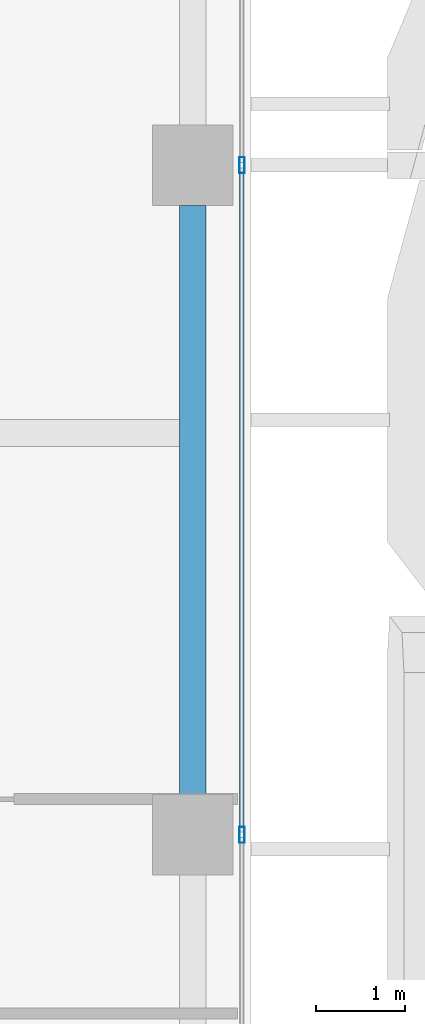
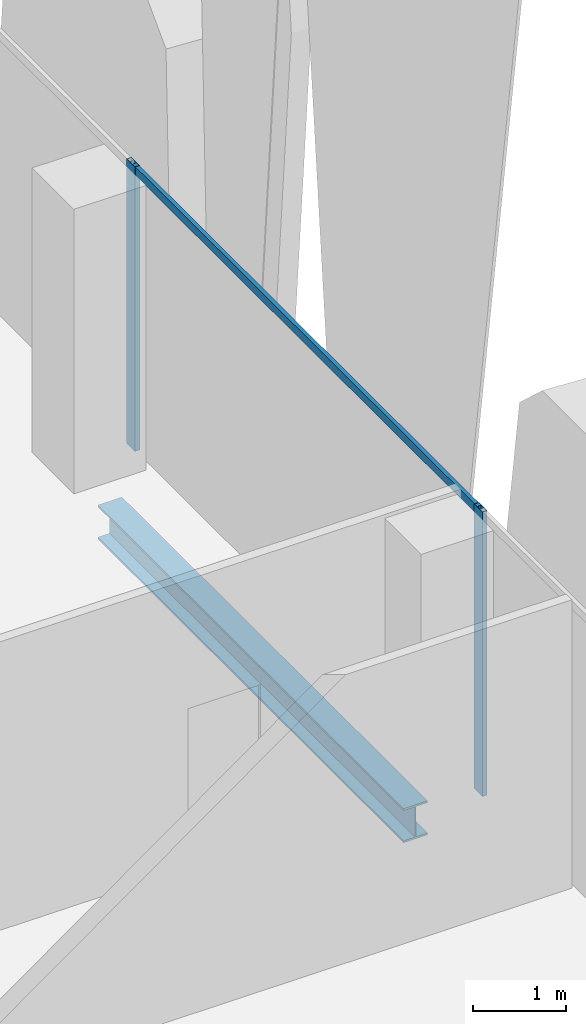
# One storey, part 13 of 33: 3 members, 1 beam, 1 element without a shape of its own.
"""IFC4 building model written with IfcOpenShell, lengths in metres."""

from ifc_helpers import new_model, si_unit, direction, frame, origin, origin_2d, place, context, subcontext, project, spatial, hollow_rectangle, i_section, extrude, source, transform, mapped, material, material_profile, profile_set, type_object, element, aggregate, save


model = new_model("IFC4")

# Units and contexts
model_context = context("Model", 3, precision=1e-05, world=origin(), true_north=direction((0.0, 1.0)))
body_context = subcontext(model_context, "Body", "Model", "MODEL_VIEW")
ifc_project = project(units=[si_unit("LENGTHUNIT", "METRE"), si_unit("AREAUNIT", "SQUARE_METRE"), si_unit("VOLUMEUNIT", "CUBIC_METRE"), si_unit("PLANEANGLEUNIT", "RADIAN"), si_unit("MASSUNIT", "GRAM", prefix="KILO")], contexts=[model_context])

# Site, building, storey
site_placement = place(None, origin())
site = spatial("IfcSite", under=ifc_project, at=site_placement, CompositionType="ELEMENT")
building_placement = place(site_placement, origin())
building = spatial("IfcBuilding", under=site, at=building_placement, Name="Khomas Fold Tower", CompositionType="ELEMENT")
storey_placement = place(building_placement, frame((0.0, 0.0, 234.199951171875)))
storey = spatial("IfcBuildingStorey", under=building, at=storey_placement, Name="L52", CompositionType="ELEMENT", Elevation=234.199951171875)

# Beam
ifc_material_1 = material(Name="Steel S355", Category="steel")
ifc_material_profile_1 = material_profile(ifc_material_1, i_section(OverallWidth=0.300048828125, OverallDepth=0.449951171875, WebThickness=0.013916015625, FlangeThickness=0.02587890625, at=origin_2d()), Name="HE 450 B")
ifc_profile_set_1 = profile_set([ifc_material_profile_1], Name="Steel S355")
beam_type = type_object("IfcBeamType", Name="HE 450 B spandrel SB4", PredefinedType="SPANDREL", material=ifc_profile_set_1)
shared_shape_1 = source(origin(), body_context, "Body", "SweptSolid", [
    extrude(i_section(OverallWidth=0.300048828125, OverallDepth=0.449951171875, WebThickness=0.013916015625, FlangeThickness=0.02587890625, at=origin_2d()), origin(), (0.0, 0.0, 1.0), 6.60009765625),
])
beam_placement = place(storey_placement, frame((48.85009765625, 27.449951171875, -0.474853515625), z_axis=(0.0, 1.0, 0.0), x_axis=(-1.0, 0.0, 0.0)))
element("IfcBeam", 1, at=beam_placement, inside=storey, type_object=beam_type, Name="SB4", PredefinedType="SPANDREL", context=body_context, shape_type="MappedRepresentation", body=[
    mapped(shared_shape_1, transform((0.0, 0.0, 0.0))),
])

# Curtain wall, members
ifc_material_2 = material(Name="Aluminium framed double glazing", Category="aluminium")
curtain_wall_type = type_object("IfcCurtainWallType", Name="SK-Unitised clear-glass wall, office floors CW2", PredefinedType="NOTDEFINED", material=ifc_material_2)
curtain_wall_placement = place(storey_placement, origin())
curtain_wall = element("IfcCurtainWall", 2, at=curtain_wall_placement, inside=storey, type_object=curtain_wall_type, Name="CW2 run L52 03-0", PredefinedType="NOTDEFINED")
ifc_material_3 = material(Name="Aluminium", Category="aluminium")
ifc_material_profile_2 = material_profile(ifc_material_3, hollow_rectangle(XDim=0.06005859375, YDim=0.179931640625, WallThickness=0.00390625, at=origin_2d()), Name="SK-Unitised clear-glass wall, office floors mullion CW2-M")
ifc_profile_set_2 = profile_set([ifc_material_profile_2], Name="Aluminium")
member_type_1 = type_object("IfcMemberType", Name="SK-Unitised clear-glass wall, office floors mullion CW2-M", PredefinedType="MULLION", material=ifc_profile_set_2)
shared_shape_2 = source(origin(), body_context, "Body", "SweptSolid", [
    extrude(hollow_rectangle(XDim=0.06005859375, YDim=0.179931640625, WallThickness=0.00390625, at=origin_2d()), origin(), (0.0, 0.0, 1.0), 3.75),
])
member_1_placement = place(storey_placement, frame((49.39990234375, 27.0, 0.0), z_axis=(0.0, 0.0, 1.0), x_axis=(-1.0, 0.0, 0.0)))
member_1 = element("IfcMember", 3, at=member_1_placement, type_object=member_type_1, Name="CW2 mullion 4", PredefinedType="MULLION", context=body_context, shape_type="MappedRepresentation", body=[
    mapped(shared_shape_2, transform((0.0, 0.0, 0.0))),
])
member_2_placement = place(storey_placement, frame((49.39990234375, 34.5, 0.0), z_axis=(0.0, 0.0, 1.0), x_axis=(-1.0, 0.0, 0.0)))
member_2 = element("IfcMember", 4, at=member_2_placement, type_object=member_type_1, Name="CW2 mullion 5", PredefinedType="MULLION", context=body_context, shape_type="MappedRepresentation", body=[
    mapped(shared_shape_2, transform((0.0, 0.0, 0.0))),
])
ifc_material_4 = material(Name="Aluminium", Category="aluminium")
ifc_material_profile_3 = material_profile(ifc_material_4, hollow_rectangle(XDim=0.050048828125, YDim=0.110107421875, WallThickness=0.00390625, at=origin_2d()), Name="SK-Unitised clear-glass wall, office floors transom CW2-T")
ifc_profile_set_3 = profile_set([ifc_material_profile_3], Name="Aluminium")
member_type_2 = type_object("IfcMemberType", Name="SK-Unitised clear-glass wall, office floors transom CW2-T", PredefinedType="USERDEFINED", material=ifc_profile_set_3)
shared_shape_3 = source(origin(), body_context, "Body", "SweptSolid", [
    extrude(hollow_rectangle(XDim=0.050048828125, YDim=0.110107421875, WallThickness=0.00390625, at=origin_2d()), origin(), (0.0, 0.0, 1.0), 7.43994140625),
])
member_3_placement = place(storey_placement, frame((49.39990234375, 27.030029296875, 3.695068359375), z_axis=(0.0, 1.0, 0.0), x_axis=(-1.0, 0.0, 0.0)))
member_3 = element("IfcMember", 5, at=member_3_placement, type_object=member_type_2, Name="CW2 transom 4", ObjectType="TRANSOM", PredefinedType="USERDEFINED", context=body_context, shape_type="MappedRepresentation", body=[
    mapped(shared_shape_3, transform((0.0, 0.0, 0.0))),
])
aggregate(curtain_wall, [member_1, member_2, member_3])

save(model, "model.ifc")
